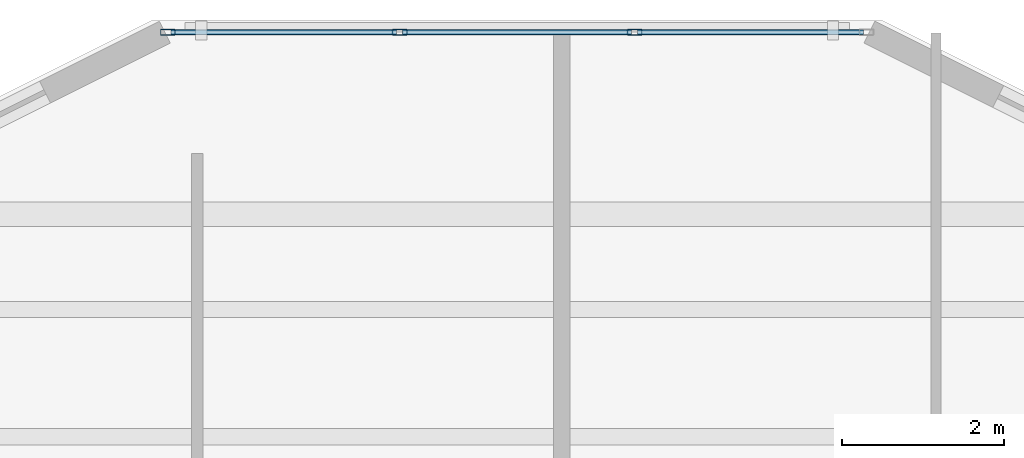
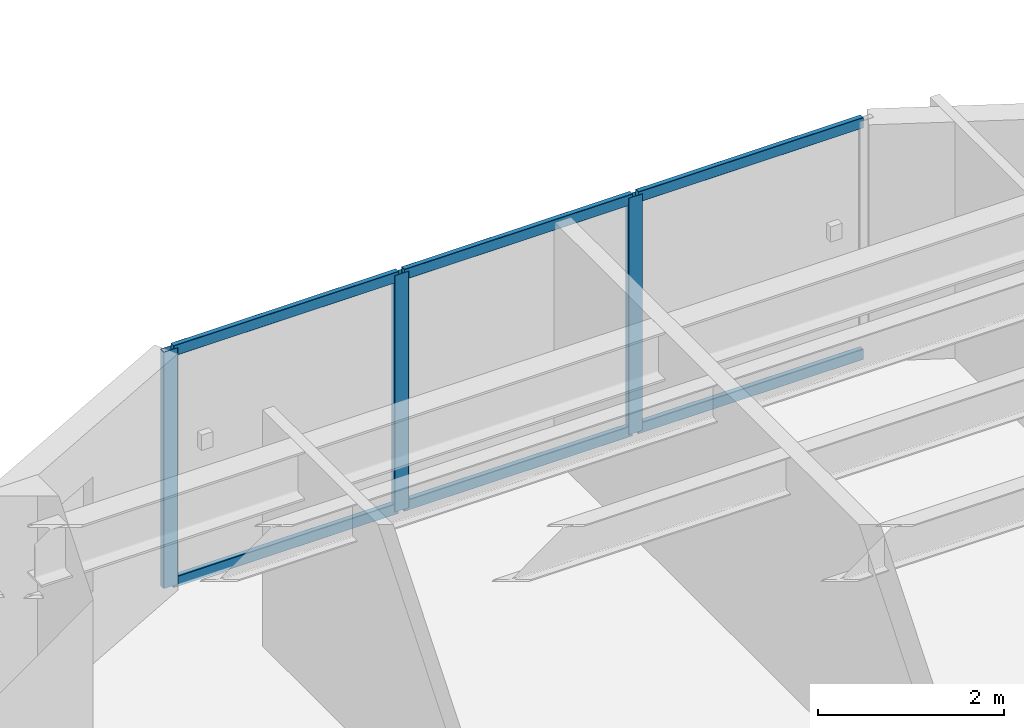
# One storey, part 6 of 21: 9 members, 1 element without a shape of its own.
"""IFC4 building model written with IfcOpenShell, lengths in metres."""

from ifc_helpers import new_model, si_unit, direction, frame, origin, origin_2d, place, context, subcontext, project, spatial, hollow_rectangle, extrude, material, layer, layer_set, material_profile, profile_set, type_object, element, aggregate, save


model = new_model("IFC4")

# Units and contexts
model_context = context("Model", 3, precision=1e-05, world=origin(), true_north=direction((0.0, 1.0)))
body_context = subcontext(model_context, "Body", "Model", "MODEL_VIEW")
ifc_project = project(units=[si_unit("LENGTHUNIT", "METRE"), si_unit("AREAUNIT", "SQUARE_METRE"), si_unit("VOLUMEUNIT", "CUBIC_METRE"), si_unit("PLANEANGLEUNIT", "RADIAN"), si_unit("MASSUNIT", "GRAM", prefix="KILO")], contexts=[model_context])

# Site, building, storey
site_placement = place(None, origin())
site = spatial("IfcSite", under=ifc_project, at=site_placement, CompositionType="ELEMENT")
building_placement = place(site_placement, origin())
building = spatial("IfcBuilding", under=site, at=building_placement, Name="Tarnavaz Court Tower", CompositionType="ELEMENT")
storey_placement = place(building_placement, frame((0.0, 0.0, 44.10009765625)))
storey = spatial("IfcBuildingStorey", under=building, at=storey_placement, Name="L11", CompositionType="ELEMENT", Elevation=44.10009765625)

# Curtain wall, members
ifc_material_1 = material(Name="Anodised Aluminium 6063-T6 and Solar Low-E Glazing", Category="aluminium")
ifc_layer = layer(ifc_material_1, 0.179931640625)
ifc_layer_set = layer_set([ifc_layer], Name="Anodised Aluminium 6063-T6 and Solar Low-E Glazing")
curtain_wall_type = type_object("IfcCurtainWallType", Name="CW-SYS-02", PredefinedType="NOTDEFINED", material=ifc_layer_set)
curtain_wall_placement = place(storey_placement, origin())
curtain_wall = element("IfcCurtainWall", 1, at=curtain_wall_placement, inside=storey, type_object=curtain_wall_type, Name="L11 Iwan Prow Curtain Wall 7", PredefinedType="NOTDEFINED")
ifc_material_2 = material(Name="Anodised Aluminium 6063-T6", Category="aluminium")
ifc_material_profile_1 = material_profile(ifc_material_2, hollow_rectangle(XDim=0.074951171875, YDim=0.179931640625, WallThickness=0.0048828125, InnerFilletRadius=0.0048828125, OuterFilletRadius=0.010009765625, at=origin_2d()), Name="ALU RHS 180X75X5")
ifc_profile_set_1 = profile_set([ifc_material_profile_1], Name="Anodised Aluminium 6063-T6")
member_type_1 = type_object("IfcMemberType", Name="CW-MUL-180", PredefinedType="MULLION", material=ifc_profile_set_1)
member_1_placement = place(storey_placement, frame((-4.3125, 25.050048828125, 0.0), z_axis=(0.0, 0.0, 1.0), x_axis=(0.0, 1.0, 0.0)))
member_1 = element("IfcMember", 2, at=member_1_placement, type_object=member_type_1, Name="CW mullion 1", PredefinedType="MULLION", context=body_context, shape_type="SweptSolid", body=[
    extrude(hollow_rectangle(XDim=0.074951171875, YDim=0.179931640625, WallThickness=0.0048828125, InnerFilletRadius=0.0048828125, OuterFilletRadius=0.010009765625, at=origin_2d()), origin(), (0.0, 0.0, 1.0), 3.099853515625),
])
member_2_placement = place(storey_placement, frame((-1.449951171875, 25.050048828125, 0.0), z_axis=(0.0, 0.0, 1.0), x_axis=(0.0, 1.0, 0.0)))
member_2 = element("IfcMember", 3, at=member_2_placement, type_object=member_type_1, Name="CW mullion 2", PredefinedType="MULLION", context=body_context, shape_type="SweptSolid", body=[
    extrude(hollow_rectangle(XDim=0.074951171875, YDim=0.179931640625, WallThickness=0.0048828125, InnerFilletRadius=0.0048828125, OuterFilletRadius=0.010009765625, at=origin_2d()), origin(), (0.0, 0.0, 1.0), 3.099853515625),
])
member_3_placement = place(storey_placement, frame((1.449951171875, 25.050048828125, 0.0), z_axis=(0.0, 0.0, 1.0), x_axis=(0.0, 1.0, 0.0)))
member_3 = element("IfcMember", 4, at=member_3_placement, type_object=member_type_1, Name="CW mullion 3", PredefinedType="MULLION", context=body_context, shape_type="SweptSolid", body=[
    extrude(hollow_rectangle(XDim=0.074951171875, YDim=0.179931640625, WallThickness=0.0048828125, InnerFilletRadius=0.0048828125, OuterFilletRadius=0.010009765625, at=origin_2d()), origin(), (0.0, 0.0, 1.0), 3.099853515625),
])
ifc_material_profile_2 = material_profile(ifc_material_2, hollow_rectangle(XDim=0.06494140625, YDim=0.139892578125, WallThickness=0.00390625, InnerFilletRadius=0.00390625, OuterFilletRadius=0.008056640625, at=origin_2d()), Name="ALU RHS 140X65X4")
ifc_profile_set_2 = profile_set([ifc_material_profile_2], Name="Anodised Aluminium 6063-T6")
member_type_2 = type_object("IfcMemberType", Name="CW-TRN-140", PredefinedType="USERDEFINED", material=ifc_profile_set_2)
member_4_placement = place(storey_placement, frame((-4.27490234375, 25.050048828125, 0.032470703125), z_axis=(1.0, 0.0, 0.0), x_axis=(0.0, 1.0, 0.0)))
member_4 = element("IfcMember", 5, at=member_4_placement, type_object=member_type_2, Name="CW transom 1.1", ObjectType="TRANSOM", PredefinedType="USERDEFINED", context=body_context, shape_type="SweptSolid", body=[
    extrude(hollow_rectangle(XDim=0.06494140625, YDim=0.139892578125, WallThickness=0.00390625, InnerFilletRadius=0.00390625, OuterFilletRadius=0.008056640625, at=origin_2d()), origin(), (0.0, 0.0, 1.0), 2.787353515625),
])
member_5_placement = place(storey_placement, frame((-4.27490234375, 25.050048828125, 3.0673828125), z_axis=(1.0, 0.0, 0.0), x_axis=(0.0, 1.0, 0.0)))
member_5 = element("IfcMember", 6, at=member_5_placement, type_object=member_type_2, Name="CW transom 1.2", ObjectType="TRANSOM", PredefinedType="USERDEFINED", context=body_context, shape_type="SweptSolid", body=[
    extrude(hollow_rectangle(XDim=0.06494140625, YDim=0.139892578125, WallThickness=0.00390625, InnerFilletRadius=0.00390625, OuterFilletRadius=0.008056640625, at=origin_2d()), origin(), (0.0, 0.0, 1.0), 2.787353515625),
])
member_6_placement = place(storey_placement, frame((-1.41259765625, 25.050048828125, 0.032470703125), z_axis=(1.0, 0.0, 0.0), x_axis=(0.0, 1.0, 0.0)))
member_6 = element("IfcMember", 7, at=member_6_placement, type_object=member_type_2, Name="CW transom 2.1", ObjectType="TRANSOM", PredefinedType="USERDEFINED", context=body_context, shape_type="SweptSolid", body=[
    extrude(hollow_rectangle(XDim=0.06494140625, YDim=0.139892578125, WallThickness=0.00390625, InnerFilletRadius=0.00390625, OuterFilletRadius=0.008056640625, at=origin_2d()), origin(), (0.0, 0.0, 1.0), 2.8251953125),
])
member_7_placement = place(storey_placement, frame((-1.41259765625, 25.050048828125, 3.0673828125), z_axis=(1.0, 0.0, 0.0), x_axis=(0.0, 1.0, 0.0)))
member_7 = element("IfcMember", 8, at=member_7_placement, type_object=member_type_2, Name="CW transom 2.2", ObjectType="TRANSOM", PredefinedType="USERDEFINED", context=body_context, shape_type="SweptSolid", body=[
    extrude(hollow_rectangle(XDim=0.06494140625, YDim=0.139892578125, WallThickness=0.00390625, InnerFilletRadius=0.00390625, OuterFilletRadius=0.008056640625, at=origin_2d()), origin(), (0.0, 0.0, 1.0), 2.8251953125),
])
member_8_placement = place(storey_placement, frame((1.487548828125, 25.050048828125, 0.032470703125), z_axis=(1.0, 0.0, 0.0), x_axis=(0.0, 1.0, 0.0)))
member_8 = element("IfcMember", 9, at=member_8_placement, type_object=member_type_2, Name="CW transom 3.1", ObjectType="TRANSOM", PredefinedType="USERDEFINED", context=body_context, shape_type="SweptSolid", body=[
    extrude(hollow_rectangle(XDim=0.06494140625, YDim=0.139892578125, WallThickness=0.00390625, InnerFilletRadius=0.00390625, OuterFilletRadius=0.008056640625, at=origin_2d()), origin(), (0.0, 0.0, 1.0), 2.787353515625),
])
member_9_placement = place(storey_placement, frame((1.487548828125, 25.050048828125, 3.0673828125), z_axis=(1.0, 0.0, 0.0), x_axis=(0.0, 1.0, 0.0)))
member_9 = element("IfcMember", 10, at=member_9_placement, type_object=member_type_2, Name="CW transom 3.2", ObjectType="TRANSOM", PredefinedType="USERDEFINED", context=body_context, shape_type="SweptSolid", body=[
    extrude(hollow_rectangle(XDim=0.06494140625, YDim=0.139892578125, WallThickness=0.00390625, InnerFilletRadius=0.00390625, OuterFilletRadius=0.008056640625, at=origin_2d()), origin(), (0.0, 0.0, 1.0), 2.787353515625),
])
aggregate(curtain_wall, [member_1, member_2, member_3, member_4, member_5, member_6, member_7, member_8, member_9])

save(model, "model.ifc")
